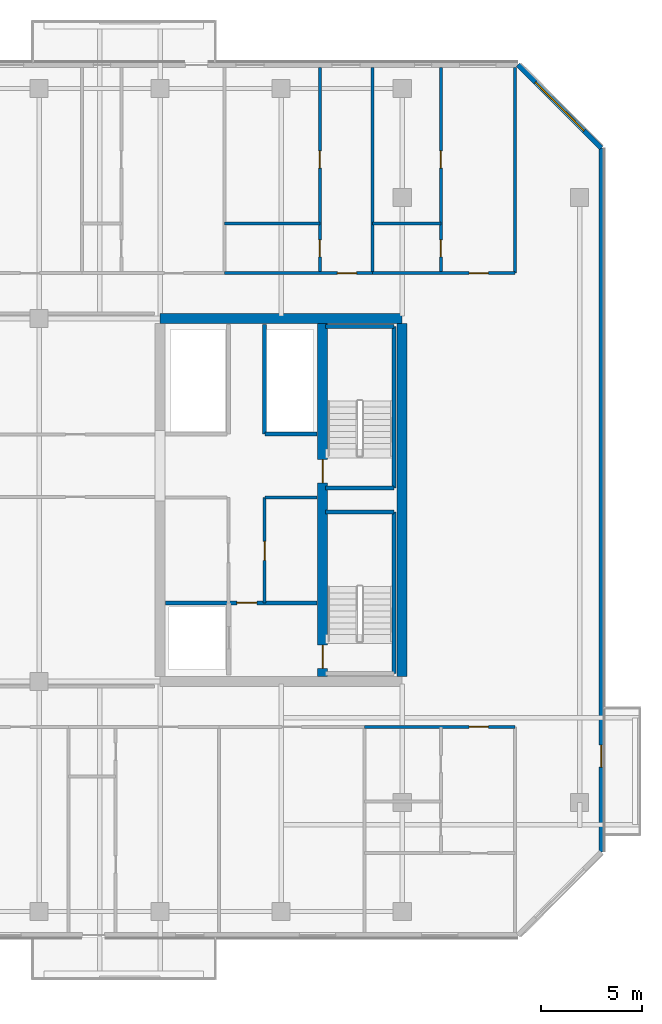
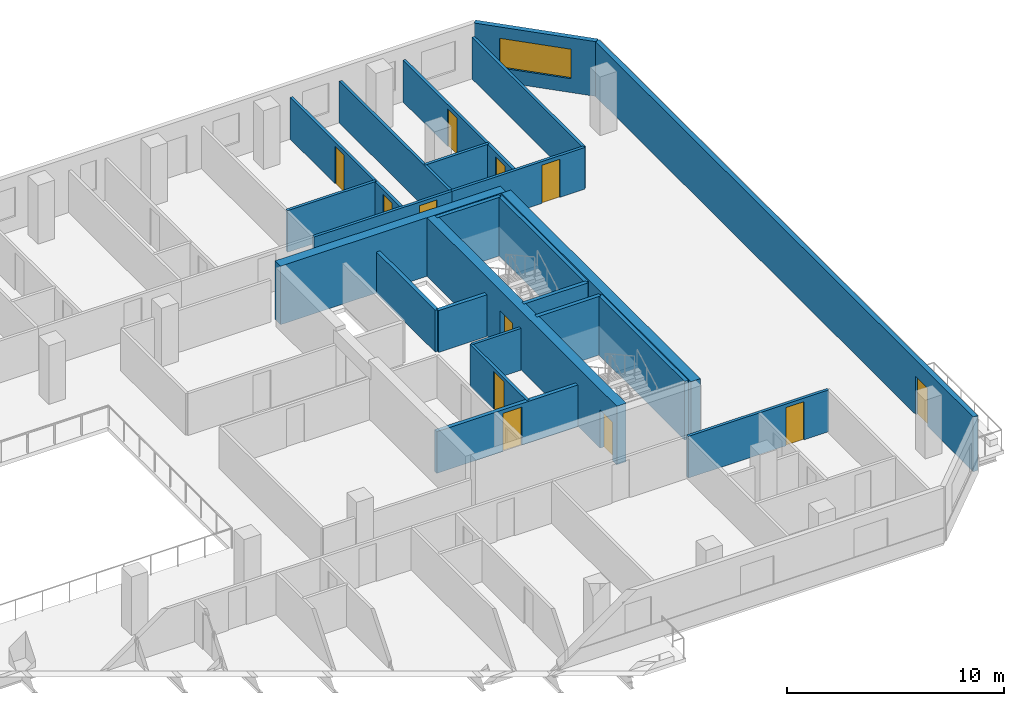
# One storey, part 14 of 19: 24 walls, 12 doors, 1 window, 13 openings.
"""IFC4 building model written with IfcOpenShell, lengths in metres."""

from ifc_helpers import new_model, si_unit, direction, frame, frame_2d, origin, place, context, subcontext, project, spatial, rectangle, extrude, material, layer, layer_set, type_object, element, fill, save


model = new_model("IFC4")

# Units and contexts
model_context = context("Model", 3, precision=1e-05, world=origin(), true_north=direction((0.0, 1.0)))
body_context = subcontext(model_context, "Body", "Model", "MODEL_VIEW")
ifc_project = project(units=[si_unit("LENGTHUNIT", "METRE"), si_unit("AREAUNIT", "SQUARE_METRE"), si_unit("VOLUMEUNIT", "CUBIC_METRE"), si_unit("PLANEANGLEUNIT", "RADIAN"), si_unit("MASSUNIT", "GRAM", prefix="KILO")], contexts=[model_context])

# Site, building, storey
site_placement = place(None, origin())
site = spatial("IfcSite", under=ifc_project, at=site_placement, CompositionType="ELEMENT")
building_placement = place(site_placement, origin())
building = spatial("IfcBuilding", under=site, at=building_placement, Name="Tanjung Sevakor Pilgrim Tower", CompositionType="ELEMENT")
storey_placement = place(building_placement, frame((0.0, 0.0, 132.0)))
storey = spatial("IfcBuildingStorey", under=building, at=storey_placement, Name="L36", CompositionType="ELEMENT", Elevation=132.0)

# Walls
ifc_material_1 = material(Name="Concrete C60/75", Category="concrete")
ifc_layer_1 = layer(ifc_material_1, 0.5)
ifc_layer_set_1 = layer_set([ifc_layer_1], Name="WALL-CW-500")
wall_type_1 = type_object("IfcWallType", Name="WALL-CW-500", PredefinedType="SHEAR", material=ifc_layer_set_1)
wall_1_placement = place(storey_placement, frame((90.0, 42.60009765625, 0.0), z_axis=(0.0, 0.0, 1.0), x_axis=(-1.0, 0.0, 0.0)))
element("IfcWall", 1, at=wall_1_placement, inside=storey, type_object=wall_type_1, Name="L36 E Core North Shear Wall", PredefinedType="SHEAR", context=body_context, shape_type="SweptSolid", body=[
    extrude(rectangle(XDim=12.0, YDim=0.5, at=frame_2d((6.0, 0.0))), origin(), (0.0, 0.0, 1.0), 3.300048828125),
])
wall_2_placement = place(storey_placement, frame((90.0, 24.85009765625, 0.0), z_axis=(0.0, 0.0, 1.0), x_axis=(0.0, 1.0, 0.0)))
element("IfcWall", 2, at=wall_2_placement, inside=storey, type_object=wall_type_1, Name="L36 E Core Outer Shear Wall", PredefinedType="SHEAR", context=body_context, shape_type="SweptSolid", body=[
    extrude(rectangle(XDim=17.5, YDim=0.5, at=frame_2d((8.75, 0.0))), origin(), (0.0, 0.0, 1.0), 3.300048828125),
])

# Wall, openings, doors
wall_3_placement = place(storey_placement, frame((86.050048828125, 24.85009765625, 0.0), z_axis=(0.0, 0.0, 1.0), x_axis=(0.0, 1.0, 0.0)))
wall_3 = element("IfcWall", 3, at=wall_3_placement, inside=storey, type_object=wall_type_1, Name="L36 E Core Stair Spine Wall", PredefinedType="SHEAR", context=body_context, shape_type="SweptSolid", body=[
    extrude(rectangle(XDim=17.5, YDim=0.5, at=frame_2d((8.75, 0.0))), origin(), (0.0, 0.0, 1.0), 3.300048828125),
])
opening_1_placement = place(wall_3_placement, frame((0.39990234375, 0.0, 0.0)))
opening_1 = element("IfcOpeningElement", 4, at=opening_1_placement, cuts=wall_3, Name="Opening ID-ST1", PredefinedType="OPENING", context=body_context, shape_type="SweptSolid", body=[
    extrude(rectangle(XDim=1.14990234375, YDim=2.14990234375, at=frame_2d((0.574951171875, 1.074951171875))), frame((0.0, 0.260009765625, 0.0), z_axis=(0.0, -1.0, 0.0), x_axis=(1.0, 0.0, 0.0)), (0.0, 0.0, 1.0), 0.52001953125),
])
opening_2_placement = place(wall_3_placement, frame((9.60009765625, 0.0, 0.0)))
opening_2 = element("IfcOpeningElement", 5, at=opening_2_placement, cuts=wall_3, Name="Opening ID-ST1", PredefinedType="OPENING", context=body_context, shape_type="SweptSolid", body=[
    extrude(rectangle(XDim=1.14990234375, YDim=2.14990234375, at=frame_2d((0.574951171875, 1.074951171875))), frame((0.0, 0.260009765625, 0.0), z_axis=(0.0, -1.0, 0.0), x_axis=(1.0, 0.0, 0.0)), (0.0, 0.0, 1.0), 0.52001953125),
])
ifc_material_2 = material(Name="Fire-Rated Steel S355J2", Category="steel")
door_type_1 = type_object("IfcDoorType", Name="DT-FIRE-1150", OperationType="NOTDEFINED", PredefinedType="DOOR", material=ifc_material_2)
door_1_placement = place(opening_1_placement, origin())
door_1 = element("IfcDoor", 6, at=door_1_placement, inside=storey, type_object=door_type_1, Name="L36 TS-E1 Stair Fire Door", OperationType="SINGLE_SWING_RIGHT", OverallHeight=2.14990234375, OverallWidth=1.14990234375, PredefinedType="DOOR", context=body_context, shape_type="SweptSolid", body=[
    extrude(rectangle(XDim=1.14990234375, YDim=2.14990234375, at=frame_2d((0.574951171875, 1.074951171875))), frame((0.0, 0.02490234375, 0.0), z_axis=(0.0, -1.0, 0.0), x_axis=(1.0, 0.0, 0.0)), (0.0, 0.0, 1.0), 0.050048828125),
])
fill(opening_1, door_1)
door_2_placement = place(opening_2_placement, origin())
door_2 = element("IfcDoor", 7, at=door_2_placement, inside=storey, type_object=door_type_1, Name="L36 TS-E2 Stair Fire Door", OperationType="SINGLE_SWING_LEFT", OverallHeight=2.14990234375, OverallWidth=1.14990234375, PredefinedType="DOOR", context=body_context, shape_type="SweptSolid", body=[
    extrude(rectangle(XDim=1.14990234375, YDim=2.14990234375, at=frame_2d((0.574951171875, 1.074951171875))), frame((0.0, 0.02490234375, 0.0), z_axis=(0.0, -1.0, 0.0), x_axis=(1.0, 0.0, 0.0)), (0.0, 0.0, 1.0), 0.050048828125),
])
fill(opening_2, door_2)

# Wall
ifc_material_3 = material(Name="Concrete C40/50", Category="concrete")
ifc_layer_2 = layer(ifc_material_3, 0.14990234375)
ifc_layer_set_2 = layer_set([ifc_layer_2], Name="WT-COMP-150")
wall_type_2 = type_object("IfcWallType", Name="WT-COMP-150", PredefinedType="SOLIDWALL", material=ifc_layer_set_2)
wall_4_placement = place(storey_placement, frame((83.199951171875, 33.719970703125, 0.0), z_axis=(0.0, 0.0, 1.0), x_axis=(1.0, 0.0, 0.0)))
element("IfcWall", 8, at=wall_4_placement, inside=storey, type_object=wall_type_2, Name="L36 Partition IW-L36-013", PredefinedType="SOLIDWALL", context=body_context, shape_type="SweptSolid", body=[
    extrude(rectangle(XDim=2.580078125, YDim=0.14990234375, at=frame_2d((1.2900390625, 0.0))), origin(), (0.0, 0.0, 1.0), 2.35009765625),
])

# Wall, opening, door
wall_5_placement = place(storey_placement, frame((83.179931640625, 28.5, 0.0), z_axis=(0.0, 0.0, 1.0), x_axis=(0.0, 1.0, 0.0)))
wall_5 = element("IfcWall", 9, at=wall_5_placement, inside=storey, type_object=wall_type_2, Name="L36 Partition IW-L36-014", PredefinedType="SOLIDWALL", context=body_context, shape_type="SweptSolid", body=[
    extrude(rectangle(XDim=5.219970703125, YDim=0.14990234375, at=frame_2d((2.60986328125, 0.0))), origin(), (0.0, 0.0, 1.0), 2.35009765625),
])
opening_3_placement = place(wall_5_placement, frame((2.10009765625, 0.0, 0.0)))
opening_3 = element("IfcOpeningElement", 10, at=opening_3_placement, cuts=wall_5, Name="Opening ID-FD2", PredefinedType="OPENING", context=body_context, shape_type="SweptSolid", body=[
    extrude(rectangle(XDim=0.949951171875, YDim=2.14990234375, at=frame_2d((0.47509765625, 1.074951171875))), frame((0.0, 0.0849609375, 0.0), z_axis=(0.0, -1.0, 0.0), x_axis=(1.0, 0.0, 0.0)), (0.0, 0.0, 1.0), 0.169921875),
])
ifc_material_4 = material(Name="Fire-Rated Timber", Category="wood")
door_type_2 = type_object("IfcDoorType", Name="DT-FIRE-950", OperationType="NOTDEFINED", PredefinedType="DOOR", material=ifc_material_4)
door_3_placement = place(opening_3_placement, origin())
door_3 = element("IfcDoor", 11, at=door_3_placement, inside=storey, type_object=door_type_2, Name="L36 Housekeeping Pantry Door", OperationType="SINGLE_SWING_LEFT", OverallHeight=2.14990234375, OverallWidth=0.949951171875, PredefinedType="DOOR", context=body_context, shape_type="SweptSolid", body=[
    extrude(rectangle(XDim=0.949951171875, YDim=2.14990234375, at=frame_2d((0.47509765625, 1.074951171875))), frame((0.0, 0.02490234375, 0.0), z_axis=(0.0, -1.0, 0.0), x_axis=(1.0, 0.0, 0.0)), (0.0, 0.0, 1.0), 0.050048828125),
])
fill(opening_3, door_3)

wall_6_placement = place(storey_placement, frame((88.12255859375, 22.35009765625, 0.0), z_axis=(0.0, 0.0, 1.0), x_axis=(1.0, 0.0, 0.0)))
wall_6 = element("IfcWall", 12, at=wall_6_placement, inside=storey, type_object=wall_type_2, Name="L36 Partition IW-L36-069", PredefinedType="SOLIDWALL", context=body_context, shape_type="SweptSolid", body=[
    extrude(rectangle(XDim=7.4775390625, YDim=0.14990234375, at=frame_2d((3.73876953125, 0.0))), origin(), (0.0, 0.0, 1.0), 2.35009765625),
])
opening_4_placement = place(wall_6_placement, frame((5.202392578125, 0.0, 0.0)))
opening_4 = element("IfcOpeningElement", 13, at=opening_4_placement, cuts=wall_6, Name="Opening ID-FD2", PredefinedType="OPENING", context=body_context, shape_type="SweptSolid", body=[
    extrude(rectangle(XDim=0.949951171875, YDim=2.14990234375, at=frame_2d((0.47509765625, 1.074951171875))), frame((0.0, 0.0849609375, 0.0), z_axis=(0.0, -1.0, 0.0), x_axis=(1.0, 0.0, 0.0)), (0.0, 0.0, 1.0), 0.169921875),
])
door_4_placement = place(opening_4_placement, origin())
door_4 = element("IfcDoor", 14, at=door_4_placement, inside=storey, type_object=door_type_2, Name="Residence Entrance", OperationType="SINGLE_SWING_LEFT", OverallHeight=2.14990234375, OverallWidth=0.949951171875, PredefinedType="DOOR", context=body_context, shape_type="SweptSolid", body=[
    extrude(rectangle(XDim=0.949951171875, YDim=2.14990234375, at=frame_2d((0.47509765625, 1.074951171875))), frame((0.0, 0.02490234375, 0.0), z_axis=(0.0, -1.0, 0.0), x_axis=(1.0, 0.0, 0.0)), (0.0, 0.0, 1.0), 0.050048828125),
])
fill(opening_4, door_4)

# Walls
for number, where, z_axis, x_axis, name in (
    (15, (95.60009765625, 44.85009765625, 0.0), (0.0, 0.0, 1.0), (0.0, 1.0, 0.0), "L36 Partition IW-L36-080"),
    (16, (88.534423828125, 44.85009765625, 0.0), (0.0, 0.0, 1.0), (0.0, 1.0, 0.0), "L36 Partition IW-L36-095"),
):
    element("IfcWall", number, at=place(storey_placement, frame(where, z_axis=z_axis, x_axis=x_axis)), inside=storey, type_object=wall_type_2, Name=name, PredefinedType="SOLIDWALL", context=body_context, shape_type="SweptSolid", body=[
        extrude(rectangle(XDim=10.199951171875, YDim=0.14990234375, at=frame_2d((5.10009765625, 0.0))), origin(), (0.0, 0.0, 1.0), 2.35009765625),
    ])

# Wall, opening, door
wall_7_placement = place(storey_placement, frame((81.197265625, 44.85009765625, 0.0), z_axis=(0.0, 0.0, 1.0), x_axis=(1.0, 0.0, 0.0)))
wall_7 = element("IfcWall", 17, at=wall_7_placement, inside=storey, type_object=wall_type_2, Name="L36 Partition IW-L36-098", PredefinedType="SOLIDWALL", context=body_context, shape_type="SweptSolid", body=[
    extrude(rectangle(XDim=7.337158203125, YDim=0.14990234375, at=frame_2d((3.66845703125, 0.0))), origin(), (0.0, 0.0, 1.0), 2.35009765625),
])
opening_5_placement = place(wall_7_placement, frame((5.594970703125, 0.0, 0.0)))
opening_5 = element("IfcOpeningElement", 18, at=opening_5_placement, cuts=wall_7, Name="Opening ID-FD2", PredefinedType="OPENING", context=body_context, shape_type="SweptSolid", body=[
    extrude(rectangle(XDim=0.949951171875, YDim=2.14990234375, at=frame_2d((0.47509765625, 1.074951171875))), frame((0.0, 0.0849609375, 0.0), z_axis=(0.0, -1.0, 0.0), x_axis=(1.0, 0.0, 0.0)), (0.0, 0.0, 1.0), 0.169921875),
])
door_5_placement = place(opening_5_placement, origin())
door_5 = element("IfcDoor", 19, at=door_5_placement, inside=storey, type_object=door_type_2, Name="Hostel Quad Entrance", OperationType="SINGLE_SWING_RIGHT", OverallHeight=2.14990234375, OverallWidth=0.949951171875, PredefinedType="DOOR", context=body_context, shape_type="SweptSolid", body=[
    extrude(rectangle(XDim=0.949951171875, YDim=2.14990234375, at=frame_2d((0.47509765625, 1.074951171875))), frame((0.0, 0.02490234375, 0.0), z_axis=(0.0, -1.0, 0.0), x_axis=(1.0, 0.0, 0.0)), (0.0, 0.0, 1.0), 0.050048828125),
])
fill(opening_5, door_5)

wall_8_placement = place(storey_placement, frame((88.534423828125, 44.85009765625, 0.0), z_axis=(0.0, 0.0, 1.0), x_axis=(1.0, 0.0, 0.0)))
wall_8 = element("IfcWall", 20, at=wall_8_placement, inside=storey, type_object=wall_type_2, Name="L36 Partition IW-L36-101", PredefinedType="SOLIDWALL", context=body_context, shape_type="SweptSolid", body=[
    extrude(rectangle(XDim=7.065673828125, YDim=0.14990234375, at=frame_2d((3.53271484375, 0.0))), origin(), (0.0, 0.0, 1.0), 2.35009765625),
])
opening_6_placement = place(wall_8_placement, frame((4.79052734375, 0.0, 0.0)))
opening_6 = element("IfcOpeningElement", 21, at=opening_6_placement, cuts=wall_8, Name="Opening ID-FD2", PredefinedType="OPENING", context=body_context, shape_type="SweptSolid", body=[
    extrude(rectangle(XDim=0.949951171875, YDim=2.14990234375, at=frame_2d((0.47509765625, 1.074951171875))), frame((0.0, 0.0849609375, 0.0), z_axis=(0.0, -1.0, 0.0), x_axis=(1.0, 0.0, 0.0)), (0.0, 0.0, 1.0), 0.169921875),
])
door_6_placement = place(opening_6_placement, origin())
door_6 = element("IfcDoor", 22, at=door_6_placement, inside=storey, type_object=door_type_2, Name="Hostel Quad Entrance", OperationType="SINGLE_SWING_LEFT", OverallHeight=2.14990234375, OverallWidth=0.949951171875, PredefinedType="DOOR", context=body_context, shape_type="SweptSolid", body=[
    extrude(rectangle(XDim=0.949951171875, YDim=2.14990234375, at=frame_2d((0.47509765625, 1.074951171875))), frame((0.0, 0.02490234375, 0.0), z_axis=(0.0, -1.0, 0.0), x_axis=(1.0, 0.0, 0.0)), (0.0, 0.0, 1.0), 0.050048828125),
])
fill(opening_6, door_6)

ifc_material_5 = material(Name="Precast concrete C45/55", Category="concrete")
ifc_layer_3 = layer(ifc_material_5, 0.25)
ifc_layer_set_3 = layer_set([ifc_layer_3], Name="WT-EW-STN3")
wall_type_3 = type_object("IfcWallType", Name="WT-EW-STN3", PredefinedType="SOLIDWALL", material=ifc_layer_set_3)
wall_9_placement = place(storey_placement, frame((99.875, 16.15185546875, 0.0), z_axis=(0.0, 0.0, 1.0), x_axis=(0.0, 1.0, 0.0)))
wall_9 = element("IfcWall", 23, at=wall_9_placement, inside=storey, type_object=wall_type_3, Name="L36 MAIN Exterior Wall 7", PredefinedType="SOLIDWALL", context=body_context, shape_type="SweptSolid", body=[
    extrude(rectangle(XDim=34.896240234375, YDim=0.25, at=frame_2d((17.4482421875, 0.0))), origin(), (0.0, 0.0, 1.0), 3.080078125),
])
opening_7_placement = place(wall_9_placement, frame((4.1982421875, 0.0, 0.0)))
opening_7 = element("IfcOpeningElement", 24, at=opening_7_placement, cuts=wall_9, Name="Opening ED-BAL-1100", PredefinedType="OPENING", context=body_context, shape_type="SweptSolid", body=[
    extrude(rectangle(XDim=1.10009765625, YDim=2.14990234375, at=frame_2d((0.550048828125, 1.074951171875))), frame((0.0, 0.135009765625, 0.0), z_axis=(0.0, -1.0, 0.0), x_axis=(1.0, 0.0, 0.0)), (0.0, 0.0, 1.0), 0.27001953125),
])
ifc_material_6 = material(Name="Anodised Aluminium and Laminated Glass", Category="aluminium")
door_type_3 = type_object("IfcDoorType", Name="DTYP-ED-BAL-1100", OperationType="NOTDEFINED", PredefinedType="DOOR", material=ifc_material_6)
door_7_placement = place(opening_7_placement, frame((1.10009765625, 0.0, 0.0), z_axis=(0.0, 0.0, 1.0), x_axis=(-1.0, 0.0, 0.0)))
door_7 = element("IfcDoor", 25, at=door_7_placement, inside=storey, type_object=door_type_3, Name="L36 East Loggia Door MAIN-E1", OperationType="SINGLE_SWING_LEFT", OverallHeight=2.14990234375, OverallWidth=1.10009765625, PredefinedType="DOOR", context=body_context, shape_type="SweptSolid", body=[
    extrude(rectangle(XDim=1.10009765625, YDim=2.14990234375, at=frame_2d((0.550048828125, 1.074951171875))), frame((0.0, 0.02490234375, 0.0), z_axis=(0.0, -1.0, 0.0), x_axis=(1.0, 0.0, 0.0)), (0.0, 0.0, 1.0), 0.050048828125),
])
fill(opening_7, door_7)

# Wall, opening, window
wall_10_placement = place(storey_placement, frame((99.875, 51.048095703125, 0.0), z_axis=(0.0, 0.0, 1.0), x_axis=(-0.70708586489, 0.707127696864, 0.0)))
wall_10 = element("IfcWall", 26, at=wall_10_placement, inside=storey, type_object=wall_type_3, Name="L36 MAIN Sculpted Corner Wall 7", PredefinedType="SOLIDWALL", context=body_context, shape_type="SweptSolid", body=[
    extrude(rectangle(XDim=5.836181640625, YDim=0.25, at=frame_2d((2.91796875, 0.0))), origin(), (0.0, 0.0, 1.0), 3.080078125),
])
opening_8_placement = place(wall_10_placement, frame((1.218017578125, 0.0, 0.780029296875)))
opening_8 = element("IfcOpeningElement", 27, at=opening_8_placement, cuts=wall_10, Name="Opening WN-CHM-1660", PredefinedType="OPENING", context=body_context, shape_type="SweptSolid", body=[
    extrude(rectangle(XDim=3.39990234375, YDim=1.659912109375, at=frame_2d((1.699951171875, 0.830078125))), frame((0.0, 0.135009765625, 0.0), z_axis=(0.0, -1.0, 0.0), x_axis=(1.0, 0.0, 0.0)), (0.0, 0.0, 1.0), 0.27001953125),
])
ifc_material_7 = material(Name="Thermally Broken Aluminium and Low-E Glass", Category="aluminium")
window_type = type_object("IfcWindowType", Name="WTYP-WN-CHM-1660", PartitioningType="DOUBLE_PANEL_VERTICAL", PredefinedType="WINDOW", material=ifc_material_7)
window_placement = place(opening_8_placement, origin())
window = element("IfcWindow", 28, at=window_placement, inside=storey, type_object=window_type, Name="L36 Facade Window 01", OverallHeight=1.659912109375, OverallWidth=3.39990234375, PartitioningType="SINGLE_PANEL", PredefinedType="WINDOW", context=body_context, shape_type="SweptSolid", body=[
    extrude(rectangle(XDim=3.39990234375, YDim=1.659912109375, at=frame_2d((1.699951171875, 0.830078125))), frame((0.0, 0.030029296875, 0.0), z_axis=(0.0, -1.0, 0.0), x_axis=(1.0, 0.0, 0.0)), (0.0, 0.0, 1.0), 0.06005859375),
])
fill(opening_8, window)

# Walls
ifc_material_8 = material(Name="Concrete C40/50", Category="concrete")
ifc_layer_4 = layer(ifc_material_8, 0.199951171875)
ifc_layer_set_4 = layer_set([ifc_layer_4], Name="WT-FIRE-200")
wall_type_4 = type_object("IfcWallType", Name="WT-FIRE-200", PredefinedType="SOLIDWALL", material=ifc_layer_set_4)
wall_11_placement = place(storey_placement, frame((89.60009765625, 25.0, 0.0), z_axis=(0.0, 0.0, 1.0), x_axis=(0.0, 1.0, 0.0)))
element("IfcWall", 29, at=wall_11_placement, inside=storey, type_object=wall_type_4, Name="L36 TS-E1 Shaft Wall 2", PredefinedType="SOLIDWALL", context=body_context, shape_type="SweptSolid", body=[
    extrude(rectangle(XDim=8.0, YDim=0.199951171875, at=frame_2d((4.0, 0.0))), origin(), (0.0, 0.0, 1.0), 3.300048828125),
])
for number, where, z_axis, x_axis, name in (
    (30, (89.60009765625, 33.0, 0.0), (0.0, 0.0, 1.0), (-1.0, 0.0, 0.0), "L36 TS-E1 Shaft Wall 3"),
    (31, (86.199951171875, 34.199951171875, 0.0), (0.0, 0.0, 1.0), (1.0, 0.0, 0.0), "L36 TS-E2 Shaft Wall 1"),
):
    element("IfcWall", number, at=place(storey_placement, frame(where, z_axis=z_axis, x_axis=x_axis)), inside=storey, type_object=wall_type_4, Name=name, PredefinedType="SOLIDWALL", context=body_context, shape_type="SweptSolid", body=[
        extrude(rectangle(XDim=3.400146484375, YDim=0.199951171875, at=frame_2d((1.7001953125, 0.0))), origin(), (0.0, 0.0, 1.0), 3.300048828125),
    ])
wall_12_placement = place(storey_placement, frame((89.60009765625, 34.199951171875, 0.0), z_axis=(0.0, 0.0, 1.0), x_axis=(0.0, 1.0, 0.0)))
element("IfcWall", 32, at=wall_12_placement, inside=storey, type_object=wall_type_4, Name="L36 TS-E2 Shaft Wall 2", PredefinedType="SOLIDWALL", context=body_context, shape_type="SweptSolid", body=[
    extrude(rectangle(XDim=8.0, YDim=0.199951171875, at=frame_2d((4.0, 0.0))), origin(), (0.0, 0.0, 1.0), 3.300048828125),
])
wall_13_placement = place(storey_placement, frame((89.60009765625, 42.199951171875, 0.0), z_axis=(0.0, 0.0, 1.0), x_axis=(-1.0, 0.0, 0.0)))
element("IfcWall", 33, at=wall_13_placement, inside=storey, type_object=wall_type_4, Name="L36 TS-E2 Shaft Wall 3", PredefinedType="SOLIDWALL", context=body_context, shape_type="SweptSolid", body=[
    extrude(rectangle(XDim=3.400146484375, YDim=0.199951171875, at=frame_2d((1.7001953125, 0.0))), origin(), (0.0, 0.0, 1.0), 3.300048828125),
])

# Wall, opening, door
ifc_material_9 = material(Name="Concrete C40/50", Category="concrete")
ifc_layer_5 = layer(ifc_material_9, 0.199951171875)
ifc_layer_set_5 = layer_set([ifc_layer_5], Name="WT-FPRT-200")
wall_type_5 = type_object("IfcWallType", Name="WT-FPRT-200", PredefinedType="SOLIDWALL", material=ifc_layer_set_5)
wall_14_placement = place(storey_placement, frame((78.27001953125, 28.5, 0.0), z_axis=(0.0, 0.0, 1.0), x_axis=(1.0, 0.0, 0.0)))
wall_14 = element("IfcWall", 34, at=wall_14_placement, inside=storey, type_object=wall_type_5, Name="L36 Partition IW-L36-012", PredefinedType="SOLIDWALL", context=body_context, shape_type="SweptSolid", body=[
    extrude(rectangle(XDim=7.510009765625, YDim=0.199951171875, at=frame_2d((3.7548828125, 0.0))), origin(), (0.0, 0.0, 1.0), 2.35009765625),
])
opening_9_placement = place(wall_14_placement, frame((3.530029296875, 0.0, 0.0)))
opening_9 = element("IfcOpeningElement", 35, at=opening_9_placement, cuts=wall_14, Name="Opening ID-FD1", PredefinedType="OPENING", context=body_context, shape_type="SweptSolid", body=[
    extrude(rectangle(XDim=1.0, YDim=2.14990234375, at=frame_2d((0.5, 1.074951171875))), frame((0.0, 0.10986328125, 0.0), z_axis=(0.0, -1.0, 0.0), x_axis=(1.0, 0.0, 0.0)), (0.0, 0.0, 1.0), 0.219970703125),
])
ifc_material_10 = material(Name="Fire-Rated Steel S355J2", Category="steel")
door_type_4 = type_object("IfcDoorType", Name="DT-FIRE-1000", OperationType="NOTDEFINED", PredefinedType="DOOR", material=ifc_material_10)
door_8_placement = place(opening_9_placement, origin())
door_8 = element("IfcDoor", 36, at=door_8_placement, inside=storey, type_object=door_type_4, Name="Fire Lobby Door E", OperationType="SINGLE_SWING_RIGHT", OverallHeight=2.14990234375, OverallWidth=1.0, PredefinedType="DOOR", context=body_context, shape_type="SweptSolid", body=[
    extrude(rectangle(XDim=1.0, YDim=2.14990234375, at=frame_2d((0.5, 1.074951171875))), frame((0.0, 0.02490234375, 0.0), z_axis=(0.0, -1.0, 0.0), x_axis=(1.0, 0.0, 0.0)), (0.0, 0.0, 1.0), 0.050048828125),
])
fill(opening_9, door_8)

# Walls
wall_15_placement = place(storey_placement, frame((83.199951171875, 36.8798828125, 0.0), z_axis=(0.0, 0.0, 1.0), x_axis=(1.0, 0.0, 0.0)))
element("IfcWall", 37, at=wall_15_placement, inside=storey, type_object=wall_type_5, Name="L36 Partition IW-L36-017", PredefinedType="SOLIDWALL", context=body_context, shape_type="SweptSolid", body=[
    extrude(rectangle(XDim=2.580078125, YDim=0.199951171875, at=frame_2d((1.2900390625, 0.0))), origin(), (0.0, 0.0, 1.0), 2.35009765625),
])
wall_16_placement = place(storey_placement, frame((83.179931640625, 36.8798828125, 0.0), z_axis=(0.0, 0.0, 1.0), x_axis=(0.0, 1.0, 0.0)))
element("IfcWall", 38, at=wall_16_placement, inside=storey, type_object=wall_type_5, Name="L36 Partition IW-L36-018", PredefinedType="SOLIDWALL", context=body_context, shape_type="SweptSolid", body=[
    extrude(rectangle(XDim=5.420166015625, YDim=0.199951171875, at=frame_2d((2.7099609375, 0.0))), origin(), (0.0, 0.0, 1.0), 2.35009765625),
])
ifc_material_11 = material(Name="Gypsum Board Partition", Category="gypsum board")
ifc_layer_6 = layer(ifc_material_11, 0.14990234375)
ifc_layer_set_6 = layer_set([ifc_layer_6], Name="WT-PART-150")
wall_type_6 = type_object("IfcWallType", Name="WT-PART-150", PredefinedType="PARTITIONING", material=ifc_layer_set_6)
wall_17_placement = place(storey_placement, frame((81.197265625, 47.300048828125, 0.0), z_axis=(0.0, 0.0, 1.0), x_axis=(1.0, 0.0, 0.0)))
element("IfcWall", 39, at=wall_17_placement, inside=storey, type_object=wall_type_6, Name="L36 Partition IW-L36-096", PredefinedType="PARTITIONING", context=body_context, shape_type="SweptSolid", body=[
    extrude(rectangle(XDim=4.72265625, YDim=0.14990234375, at=frame_2d((2.361328125, 0.0))), origin(), (0.0, 0.0, 1.0), 2.35009765625),
])

# Wall, openings, doors
wall_18_placement = place(storey_placement, frame((85.919921875, 44.85009765625, 0.0), z_axis=(0.0, 0.0, 1.0), x_axis=(0.0, 1.0, 0.0)))
wall_18 = element("IfcWall", 40, at=wall_18_placement, inside=storey, type_object=wall_type_6, Name="L36 Partition IW-L36-097", PredefinedType="PARTITIONING", context=body_context, shape_type="SweptSolid", body=[
    extrude(rectangle(XDim=10.199951171875, YDim=0.14990234375, at=frame_2d((5.10009765625, 0.0))), origin(), (0.0, 0.0, 1.0), 2.35009765625),
])
opening_10_placement = place(wall_18_placement, frame((0.800048828125, 0.0, 0.0)))
opening_10 = element("IfcOpeningElement", 41, at=opening_10_placement, cuts=wall_18, Name="Opening ID-WC1", PredefinedType="OPENING", context=body_context, shape_type="SweptSolid", body=[
    extrude(rectangle(XDim=0.85009765625, YDim=2.10009765625, at=frame_2d((0.425048828125, 1.050048828125))), frame((0.0, 0.0849609375, 0.0), z_axis=(0.0, -1.0, 0.0), x_axis=(1.0, 0.0, 0.0)), (0.0, 0.0, 1.0), 0.169921875),
])
opening_11_placement = place(wall_18_placement, frame((5.2099609375, 0.0, 0.0)))
opening_11 = element("IfcOpeningElement", 42, at=opening_11_placement, cuts=wall_18, Name="Opening ID-WC1", PredefinedType="OPENING", context=body_context, shape_type="SweptSolid", body=[
    extrude(rectangle(XDim=0.85009765625, YDim=2.10009765625, at=frame_2d((0.425048828125, 1.050048828125))), frame((0.0, 0.0849609375, 0.0), z_axis=(0.0, -1.0, 0.0), x_axis=(1.0, 0.0, 0.0)), (0.0, 0.0, 1.0), 0.169921875),
])
ifc_material_12 = material(Name="Moisture-Resistant Timber", Category="wood")
door_type_5 = type_object("IfcDoorType", Name="DT-INT-850", OperationType="NOTDEFINED", PredefinedType="DOOR", material=ifc_material_12)
door_9_placement = place(opening_10_placement, origin())
door_9 = element("IfcDoor", 43, at=door_9_placement, inside=storey, type_object=door_type_5, Name="Bathroom Door", OperationType="SINGLE_SWING_RIGHT", OverallHeight=2.10009765625, OverallWidth=0.85009765625, PredefinedType="DOOR", context=body_context, shape_type="SweptSolid", body=[
    extrude(rectangle(XDim=0.85009765625, YDim=2.10009765625, at=frame_2d((0.425048828125, 1.050048828125))), frame((0.0, 0.02490234375, 0.0), z_axis=(0.0, -1.0, 0.0), x_axis=(1.0, 0.0, 0.0)), (0.0, 0.0, 1.0), 0.050048828125),
])
fill(opening_10, door_9)
door_10_placement = place(opening_11_placement, origin())
door_10 = element("IfcDoor", 44, at=door_10_placement, inside=storey, type_object=door_type_5, Name="Study Nook Door", OperationType="SINGLE_SWING_LEFT", OverallHeight=2.10009765625, OverallWidth=0.85009765625, PredefinedType="DOOR", context=body_context, shape_type="SweptSolid", body=[
    extrude(rectangle(XDim=0.85009765625, YDim=2.10009765625, at=frame_2d((0.425048828125, 1.050048828125))), frame((0.0, 0.02490234375, 0.0), z_axis=(0.0, -1.0, 0.0), x_axis=(1.0, 0.0, 0.0)), (0.0, 0.0, 1.0), 0.050048828125),
])
fill(opening_11, door_10)

# Wall
wall_19_placement = place(storey_placement, frame((88.534423828125, 47.300048828125, 0.0), z_axis=(0.0, 0.0, 1.0), x_axis=(1.0, 0.0, 0.0)))
element("IfcWall", 45, at=wall_19_placement, inside=storey, type_object=wall_type_6, Name="L36 Partition IW-L36-099", PredefinedType="PARTITIONING", context=body_context, shape_type="SweptSolid", body=[
    extrude(rectangle(XDim=3.385498046875, YDim=0.14990234375, at=frame_2d((1.69287109375, 0.0))), origin(), (0.0, 0.0, 1.0), 2.35009765625),
])

# Wall, openings, doors
wall_20_placement = place(storey_placement, frame((91.919921875, 44.85009765625, 0.0), z_axis=(0.0, 0.0, 1.0), x_axis=(0.0, 1.0, 0.0)))
wall_20 = element("IfcWall", 46, at=wall_20_placement, inside=storey, type_object=wall_type_6, Name="L36 Partition IW-L36-100", PredefinedType="PARTITIONING", context=body_context, shape_type="SweptSolid", body=[
    extrude(rectangle(XDim=10.199951171875, YDim=0.14990234375, at=frame_2d((5.10009765625, 0.0))), origin(), (0.0, 0.0, 1.0), 2.35009765625),
])
opening_12_placement = place(wall_20_placement, frame((0.800048828125, 0.0, 0.0)))
opening_12 = element("IfcOpeningElement", 47, at=opening_12_placement, cuts=wall_20, Name="Opening ID-WC1", PredefinedType="OPENING", context=body_context, shape_type="SweptSolid", body=[
    extrude(rectangle(XDim=0.85009765625, YDim=2.10009765625, at=frame_2d((0.425048828125, 1.050048828125))), frame((0.0, 0.0849609375, 0.0), z_axis=(0.0, -1.0, 0.0), x_axis=(1.0, 0.0, 0.0)), (0.0, 0.0, 1.0), 0.169921875),
])
opening_13_placement = place(wall_20_placement, frame((5.2099609375, 0.0, 0.0)))
opening_13 = element("IfcOpeningElement", 48, at=opening_13_placement, cuts=wall_20, Name="Opening ID-WC1", PredefinedType="OPENING", context=body_context, shape_type="SweptSolid", body=[
    extrude(rectangle(XDim=0.85009765625, YDim=2.10009765625, at=frame_2d((0.425048828125, 1.050048828125))), frame((0.0, 0.0849609375, 0.0), z_axis=(0.0, -1.0, 0.0), x_axis=(1.0, 0.0, 0.0)), (0.0, 0.0, 1.0), 0.169921875),
])
door_11_placement = place(opening_12_placement, origin())
door_11 = element("IfcDoor", 49, at=door_11_placement, inside=storey, type_object=door_type_5, Name="Bathroom Door", OperationType="SINGLE_SWING_LEFT", OverallHeight=2.10009765625, OverallWidth=0.85009765625, PredefinedType="DOOR", context=body_context, shape_type="SweptSolid", body=[
    extrude(rectangle(XDim=0.85009765625, YDim=2.10009765625, at=frame_2d((0.425048828125, 1.050048828125))), frame((0.0, 0.02490234375, 0.0), z_axis=(0.0, -1.0, 0.0), x_axis=(1.0, 0.0, 0.0)), (0.0, 0.0, 1.0), 0.050048828125),
])
fill(opening_12, door_11)
door_12_placement = place(opening_13_placement, origin())
door_12 = element("IfcDoor", 50, at=door_12_placement, inside=storey, type_object=door_type_5, Name="Study Nook Door", OperationType="SINGLE_SWING_RIGHT", OverallHeight=2.10009765625, OverallWidth=0.85009765625, PredefinedType="DOOR", context=body_context, shape_type="SweptSolid", body=[
    extrude(rectangle(XDim=0.85009765625, YDim=2.10009765625, at=frame_2d((0.425048828125, 1.050048828125))), frame((0.0, 0.02490234375, 0.0), z_axis=(0.0, -1.0, 0.0), x_axis=(1.0, 0.0, 0.0)), (0.0, 0.0, 1.0), 0.050048828125),
])
fill(opening_13, door_12)

save(model, "model.ifc")
